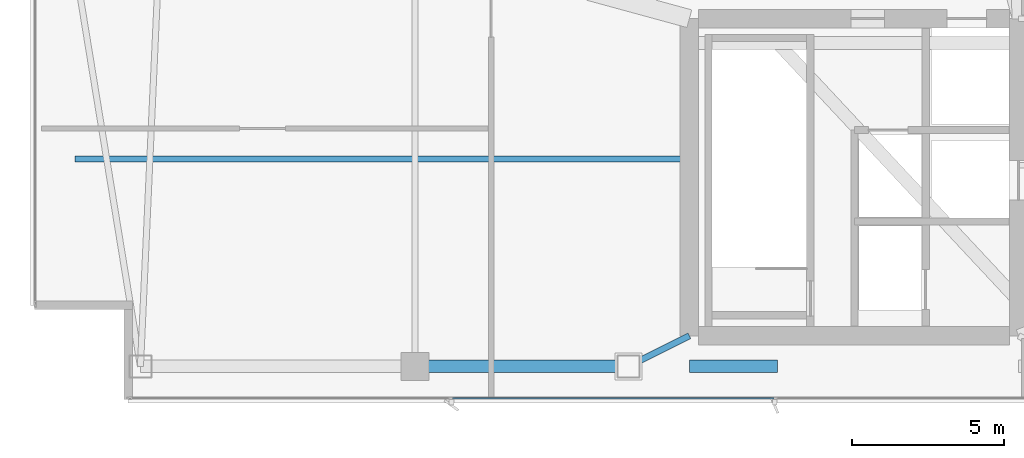
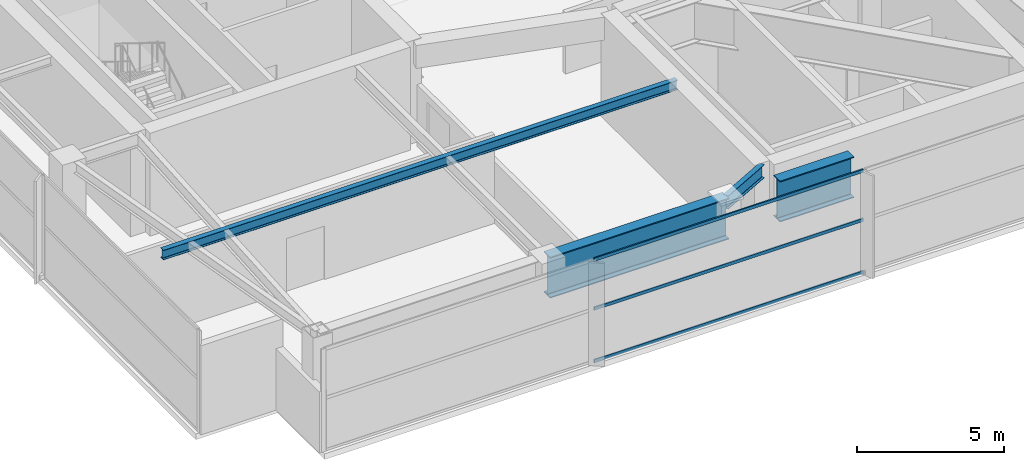
# One storey, part 6 of 25: 4 beams, 3 members, 1 element without a shape of its own.
"""IFC4 building model written with IfcOpenShell, lengths in metres."""

import ifcopenshell
import ifcopenshell.guid

model = None  # the IFC model being written
_history = None  # IfcOwnerHistory: only IFC2X3 demands one
_inside = {}  # id of a spatial element -> (the spatial element, [elements in it])
_under = {}  # id of a project, library or spatial element -> (it, [spatial elements below it])
_declared = {}  # id of a project -> (the project, [libraries it declares])
_typed = {}  # id of a type object -> (the type object, [elements of that type])
_made_of = {}  # id of a material, layer set ... -> (it, [elements and type objects made of it])


def new_model(schema):
    """Start an empty IFC model of exactly this schema.

    Asked for "IFC4X3", IfcOpenShell would pick the latest addendum, in which some entities
    have other attributes; the version numbers below select the first issue.
    IFC2X3 requires an IfcOwnerHistory on every rooted entity: one is made here for all.
    """
    global model, _history
    if schema == "IFC4X3":
        model = ifcopenshell.file(schema_version=(4, 3, 0, 0))
    else:
        model = ifcopenshell.file(schema=schema)
    _inside.clear()
    _under.clear()
    _declared.clear()
    _typed.clear()
    _made_of.clear()
    _history = None
    if model.schema == "IFC2X3":
        org = make("IfcOrganization", Name="unknown")
        user = make(
            "IfcPersonAndOrganization",
            ThePerson=make("IfcPerson", FamilyName="unknown"),
            TheOrganization=org,
        )
        app = make(
            "IfcApplication",
            ApplicationDeveloper=org,
            Version="unknown",
            ApplicationFullName="unknown",
            ApplicationIdentifier="unknown",
        )
        _history = make(
            "IfcOwnerHistory",
            OwningUser=user,
            OwningApplication=app,
            ChangeAction="ADDED",
            CreationDate=0,
        )
    return model


def make(cls, **values):
    """One entity of the class cls with the attributes given. An attribute that is None is left unset."""
    return model.create_entity(
        cls, **{name: value for name, value in values.items() if value is not None}
    )


def rooted(cls, **values):
    """An entity with a GlobalId (a new one), such as an element, a storey or a relation."""
    return make(cls, GlobalId=ifcopenshell.guid.new(), OwnerHistory=_history, **values)


def si_unit(unit_type, name, prefix=None):
    """IfcSIUnit, for example si_unit("LENGTHUNIT", "METRE", prefix="MILLI")."""
    return make("IfcSIUnit", UnitType=unit_type, Prefix=prefix, Name=name)


def assignment(units):
    """IfcUnitAssignment: the units of a project."""
    return None if units is None else make("IfcUnitAssignment", Units=units)


def point(xyz):
    """IfcCartesianPoint."""
    return None if xyz is None else make("IfcCartesianPoint", Coordinates=xyz)


def direction(xyz):
    """IfcDirection."""
    return None if xyz is None else make("IfcDirection", DirectionRatios=xyz)


def frame(location, z_axis=None, x_axis=None):
    """IfcAxis2Placement3D, a coordinate frame: its origin and axes. An axis left out is left unset."""
    return make(
        "IfcAxis2Placement3D",
        Location=point(location),
        Axis=direction(z_axis),
        RefDirection=direction(x_axis),
    )


def frame_2d(location, x_axis=None):
    """IfcAxis2Placement2D, a coordinate frame in the plane: its origin and x axis."""
    return make(
        "IfcAxis2Placement2D", Location=point(location), RefDirection=direction(x_axis)
    )


def origin():
    """The frame at (0, 0, 0) with its axes left unset."""
    return frame((0.0, 0.0, 0.0))


def origin_2d():
    """The frame at (0, 0) in the plane with its x axis left unset."""
    return frame_2d((0.0, 0.0))


def place(relative_to, where):
    """IfcLocalPlacement: puts the frame where relative to a parent placement (None: the world)."""
    return make(
        "IfcLocalPlacement", PlacementRelTo=relative_to, RelativePlacement=where
    )


def context(
    kind, dimensions, precision=None, world=None, true_north=None, identifier=None
):
    """IfcGeometricRepresentationContext, for example the 3D "Model" context."""
    return make(
        "IfcGeometricRepresentationContext",
        ContextIdentifier=identifier,
        ContextType=kind,
        CoordinateSpaceDimension=dimensions,
        Precision=precision,
        WorldCoordinateSystem=world,
        TrueNorth=true_north,
    )


def subcontext(parent, identifier, kind, view, scale=None):
    """IfcGeometricRepresentationSubContext, for example "Body" below "Model"."""
    return make(
        "IfcGeometricRepresentationSubContext",
        ContextIdentifier=identifier,
        ContextType=kind,
        ParentContext=parent,
        TargetScale=scale,
        TargetView=view,
    )


def project(units=None, contexts=None):
    """IfcProject with its units and contexts."""
    return rooted(
        "IfcProject",
        Name="project",
        RepresentationContexts=contexts,
        UnitsInContext=assignment(units),
    )


def spatial(cls, under=None, at=None, **own):
    """A site, building, storey or space (cls), placed at a placement, below another one or the project."""
    s = rooted(cls, ObjectPlacement=at, **own)
    if under is not None:
        _under.setdefault(under.id(), (under, []))[1].append(s)
    return s


def profile(cls, at=None, kind="AREA", **sizes):
    """A parametric profile (cls). Its sizes go by their IFC names, for example OverallWidth=200.0."""
    return make(cls, ProfileType=kind, Position=at, **sizes)


def hollow_rectangle(**sizes):
    """IfcRectangleHollowProfileDef."""
    return profile("IfcRectangleHollowProfileDef", **sizes)


def i_section(**sizes):
    """IfcIShapeProfileDef."""
    return profile("IfcIShapeProfileDef", **sizes)


def extrude(swept, where, along, depth):
    """IfcExtrudedAreaSolid: the profile swept, set in the frame where, extruded along a direction by depth."""
    return make(
        "IfcExtrudedAreaSolid",
        SweptArea=swept,
        Position=where,
        ExtrudedDirection=direction(along),
        Depth=depth,
    )


def shape(context_of_items, identifier, shape_type, items):
    """IfcShapeRepresentation: the items that make up one representation, for example the "Body"."""
    return make(
        "IfcShapeRepresentation",
        ContextOfItems=context_of_items,
        RepresentationIdentifier=identifier,
        RepresentationType=shape_type,
        Items=items,
    )


def material(Name=None, Category=None):
    """IfcMaterial."""
    return make("IfcMaterial", Name=Name, Category=Category)


def layer(
    of_material, thickness, ventilated=None, Name=None, Category=None, Priority=None
):
    """IfcMaterialLayer: one layer of a wall or slab, of a material (None: an air gap)."""
    return make(
        "IfcMaterialLayer",
        Material=of_material,
        LayerThickness=thickness,
        IsVentilated=ventilated,
        Name=Name,
        Category=Category,
        Priority=Priority,
    )


def layer_set(layers, Name=None):
    """IfcMaterialLayerSet."""
    return make("IfcMaterialLayerSet", MaterialLayers=layers, LayerSetName=Name)


def material_profile(
    of_material, cross_section, Name=None, Category=None, Priority=None
):
    """IfcMaterialProfile: a cross section and its material."""
    return make(
        "IfcMaterialProfile",
        Name=Name,
        Material=of_material,
        Profile=cross_section,
        Priority=Priority,
        Category=Category,
    )


def profile_set(profiles, Name=None, composite=None):
    """IfcMaterialProfileSet."""
    return make(
        "IfcMaterialProfileSet",
        Name=Name,
        MaterialProfiles=profiles,
        CompositeProfile=composite,
    )


def made_of(thing, what):
    """Note that an element or type object is made of a material, layer set ...; save() writes the relation."""
    if what is not None:
        _made_of.setdefault(what.id(), (what, []))[1].append(thing)
    return thing


def type_object(cls, material=None, **own):
    """A type object (cls), such as IfcWallType, which elements share."""
    return made_of(rooted(cls, **own), material)


def element(
    cls,
    number,
    at=None,
    inside=None,
    cuts=None,
    type_object=None,
    material=None,
    context=None,
    identifier="Body",
    shape_type=None,
    held_by="IfcProductDefinitionShape",
    body=None,
    shapes=None,
    **own,
):
    """One element of the class cls, such as IfcWall. Its Tag is "e" and its number.

    at: its placement. inside: the storey or other place that contains it. cuts: it is an
    opening in that element (IfcRelVoidsElement). A single representation is given by context,
    identifier, shape_type and body (its items); several are given by shapes. held_by: the class
    of the entity that holds the representations. save() writes the other relations.
    """
    e = rooted(cls, Tag="e%d" % number, ObjectPlacement=at, **own)
    if body is not None:
        shapes = [shape(context, identifier, shape_type, body)]
    if shapes is not None:
        e.Representation = make(held_by, Representations=shapes)
    if inside is not None:
        _inside.setdefault(inside.id(), (inside, []))[1].append(e)
    if cuts is not None:
        rooted(
            "IfcRelVoidsElement", RelatingBuildingElement=cuts, RelatedOpeningElement=e
        )
    if type_object is not None:
        _typed.setdefault(type_object.id(), (type_object, []))[1].append(e)
    return made_of(e, material)


def aggregate(whole, parts):
    """IfcRelAggregates: a whole, such as a stair, and the parts it consists of."""
    return rooted("IfcRelAggregates", RelatingObject=whole, RelatedObjects=parts)


def save(model, path):
    """Write the relations noted so far, then the file.

    IfcRelAggregates (storeys below a building ...), IfcRelContainedInSpatialStructure (elements
    in a storey), IfcRelDefinesByType, IfcRelAssociatesMaterial and IfcRelDeclares: one each for
    every whole, place, type object, material and project.
    """
    for whole, parts in _under.values():
        aggregate(whole, parts)
    for where, things in _inside.values():
        rooted(
            "IfcRelContainedInSpatialStructure",
            RelatedElements=things,
            RelatingStructure=where,
        )
    for kind, things in _typed.values():
        rooted("IfcRelDefinesByType", RelatedObjects=things, RelatingType=kind)
    for what, things in _made_of.values():
        rooted("IfcRelAssociatesMaterial", RelatedObjects=things, RelatingMaterial=what)
    for by, libraries in _declared.values():
        rooted("IfcRelDeclares", RelatingContext=by, RelatedDefinitions=libraries)
    model.write(path)


model = new_model("IFC4")

# Units and contexts
model_context = context("Model", 3, precision=1e-05, world=origin(), true_north=direction((0.0, 1.0)))
body_context = subcontext(model_context, "Body", "Model", "MODEL_VIEW")
ifc_project = project(units=[si_unit("LENGTHUNIT", "METRE"), si_unit("AREAUNIT", "SQUARE_METRE"), si_unit("VOLUMEUNIT", "CUBIC_METRE"), si_unit("PLANEANGLEUNIT", "RADIAN"), si_unit("MASSUNIT", "GRAM", prefix="KILO")], contexts=[model_context])

# Site, building, storey
site_placement = place(None, origin())
site = spatial("IfcSite", under=ifc_project, at=site_placement, CompositionType="ELEMENT")
building_placement = place(site_placement, origin())
building = spatial("IfcBuilding", under=site, at=building_placement, Name="Calvorn Quay Hotel", CompositionType="ELEMENT")
storey_placement = place(building_placement, frame((0.0, 0.0, 316.0)))
storey = spatial("IfcBuildingStorey", under=building, at=storey_placement, Name="L78", CompositionType="ELEMENT", Elevation=316.0)

# Beams
ifc_material_1 = material(Name="Steel Q355B", Category="steel")
ifc_material_profile_1 = material_profile(ifc_material_1, i_section(OverallWidth=0.199951171875, OverallDepth=0.550048828125, WebThickness=0.010009765625, FlangeThickness=0.01611328125, FilletRadius=0.01806640625, at=origin_2d()), Name="HN550x200x10x16")
ifc_profile_set_1 = profile_set([ifc_material_profile_1], Name="Steel Q355B")
beam_type_1 = type_object("IfcBeamType", Name="BM-GIRD-UPP", PredefinedType="BEAM", material=ifc_profile_set_1)
beam_1_placement = place(storey_placement, frame((19.60009765625, 3.60009765625, 3.965087890625), z_axis=(0.894427191, 0.4472135955, 0.0), x_axis=(-0.4472135955, 0.894427191, 0.0)))
element("IfcBeam", 1, at=beam_1_placement, inside=storey, type_object=beam_type_1, Name="Beam BG-L78-S2", PredefinedType="BEAM", context=body_context, shape_type="SweptSolid", body=[
    extrude(i_section(OverallWidth=0.199951171875, OverallDepth=0.550048828125, WebThickness=0.010009765625, FlangeThickness=0.01611328125, FilletRadius=0.01806640625, at=origin_2d()), origin(), (0.0, 0.0, 1.0), 2.236083984375),
])
ifc_material_2 = material(Name="Steel Q355B", Category="steel")
ifc_material_profile_2 = material_profile(ifc_material_2, i_section(OverallWidth=0.199951171875, OverallDepth=0.39990234375, WebThickness=0.008056640625, FlangeThickness=0.012939453125, FilletRadius=0.01611328125, at=origin_2d()), Name="HN400x200x8x13")
ifc_profile_set_2 = profile_set([ifc_material_profile_2], Name="Steel Q355B")
beam_type_2 = type_object("IfcBeamType", Name="BM-JOIST-TYP", PredefinedType="JOIST", material=ifc_profile_set_2)
beam_2_placement = place(storey_placement, frame((1.449951171875, 10.39990234375, 4.0400390625), z_axis=(1.0, 0.0, 0.0), x_axis=(0.0, 1.0, 0.0)))
element("IfcBeam", 2, at=beam_2_placement, inside=storey, type_object=beam_type_2, Name="Beam BJ-L78-W1", PredefinedType="JOIST", context=body_context, shape_type="SweptSolid", body=[
    extrude(i_section(OverallWidth=0.199951171875, OverallDepth=0.39990234375, WebThickness=0.008056640625, FlangeThickness=0.012939453125, FilletRadius=0.01611328125, at=origin_2d()), origin(), (0.0, 0.0, 1.0), 20.150146484375),
])
ifc_material_3 = material(Name="Steel Q420GJC", Category="steel")
ifc_material_profile_3 = material_profile(ifc_material_3, i_section(OverallWidth=0.419921875, OverallDepth=1.699951171875, WebThickness=0.02392578125, FlangeThickness=0.0419921875, FilletRadius=0.02392578125, at=origin_2d()), Name="HN1700x420x24x42")
ifc_profile_set_3 = profile_set([ifc_material_profile_3], Name="Steel Q420GJC")
beam_type_3 = type_object("IfcBeamType", Name="BM-XFER-SAWTOOTH", PredefinedType="BEAM", material=ifc_profile_set_3)
beam_3_placement = place(storey_placement, frame((21.60009765625, 3.60009765625, 3.389892578125), z_axis=(1.0, 0.0, 0.0), x_axis=(0.0, 1.0, 0.0)))
element("IfcBeam", 3, at=beam_3_placement, inside=storey, type_object=beam_type_3, Name="Beam BTG-L78-C-CRM1A", PredefinedType="BEAM", context=body_context, shape_type="SweptSolid", body=[
    extrude(i_section(OverallWidth=0.419921875, OverallDepth=1.699951171875, WebThickness=0.02392578125, FlangeThickness=0.0419921875, FilletRadius=0.02392578125, at=origin_2d()), origin(), (0.0, 0.0, 1.0), 2.89990234375),
])
beam_4_placement = place(storey_placement, frame((12.60009765625, 3.60009765625, 3.389892578125), z_axis=(1.0, 0.0, 0.0), x_axis=(0.0, 1.0, 0.0)))
element("IfcBeam", 4, at=beam_4_placement, inside=storey, type_object=beam_type_3, Name="Beam BSP-L78-S2", PredefinedType="BEAM", context=body_context, shape_type="SweptSolid", body=[
    extrude(i_section(OverallWidth=0.419921875, OverallDepth=1.699951171875, WebThickness=0.02392578125, FlangeThickness=0.0419921875, FilletRadius=0.02392578125, at=origin_2d()), origin(), (0.0, 0.0, 1.0), 7.0),
])

# Curtain wall, members
ifc_material_4 = material(Name="Champagne Bronze Anodised Aluminium and Low-E Glass", Category="aluminium")
ifc_layer = layer(ifc_material_4, 0.219970703125)
ifc_layer_set = layer_set([ifc_layer], Name="CW-SYS-Z4")
curtain_wall_type = type_object("IfcCurtainWallType", Name="CW-SYS-Z4", PredefinedType="NOTDEFINED", material=ifc_layer_set)
curtain_wall_placement = place(storey_placement, origin())
curtain_wall = element("IfcCurtainWall", 5, at=curtain_wall_placement, inside=storey, type_object=curtain_wall_type, Name="Tower South Waterfront Curtain Wall (L78)", PredefinedType="NOTDEFINED")
ifc_material_5 = material(Name="Champagne Bronze Anodised Aluminium 6063-T6", Category="aluminium")
ifc_material_profile_4 = material_profile(ifc_material_5, hollow_rectangle(XDim=0.054931640625, YDim=0.1298828125, WallThickness=0.003173828125, at=origin_2d()), Name="ALU-T130x55x3.2")
ifc_profile_set_4 = profile_set([ifc_material_profile_4], Name="Champagne Bronze Anodised Aluminium 6063-T6")
member_type = type_object("IfcMemberType", Name="CW-SYS-Z4-TRN", PredefinedType="USERDEFINED", material=ifc_profile_set_4)
member_1_placement = place(storey_placement, frame((13.830078125, 2.550048828125, 0.030029296875), z_axis=(1.0, 0.0, 0.0), x_axis=(0.0, 1.0, 0.0)))
member_1 = element("IfcMember", 6, at=member_1_placement, type_object=member_type, Name="CW-L78-S transom 2.1", ObjectType="TRANSOM", PredefinedType="USERDEFINED", context=body_context, shape_type="SweptSolid", body=[
    extrude(hollow_rectangle(XDim=0.054931640625, YDim=0.1298828125, WallThickness=0.003173828125, at=origin_2d()), origin(), (0.0, 0.0, 1.0), 10.5400390625),
])
member_2_placement = place(storey_placement, frame((13.830078125, 2.550048828125, 2.199951171875), z_axis=(1.0, 0.0, 0.0), x_axis=(0.0, 1.0, 0.0)))
member_2 = element("IfcMember", 7, at=member_2_placement, type_object=member_type, Name="CW-L78-S transom 2.2", ObjectType="TRANSOM", PredefinedType="USERDEFINED", context=body_context, shape_type="SweptSolid", body=[
    extrude(hollow_rectangle(XDim=0.054931640625, YDim=0.1298828125, WallThickness=0.003173828125, at=origin_2d()), origin(), (0.0, 0.0, 1.0), 10.5400390625),
])
member_3_placement = place(storey_placement, frame((13.830078125, 2.550048828125, 4.22998046875), z_axis=(1.0, 0.0, 0.0), x_axis=(0.0, 1.0, 0.0)))
member_3 = element("IfcMember", 8, at=member_3_placement, type_object=member_type, Name="CW-L78-S transom 2.3", ObjectType="TRANSOM", PredefinedType="USERDEFINED", context=body_context, shape_type="SweptSolid", body=[
    extrude(hollow_rectangle(XDim=0.054931640625, YDim=0.1298828125, WallThickness=0.003173828125, at=origin_2d()), origin(), (0.0, 0.0, 1.0), 10.5400390625),
])
aggregate(curtain_wall, [member_1, member_2, member_3])

save(model, "model.ifc")
